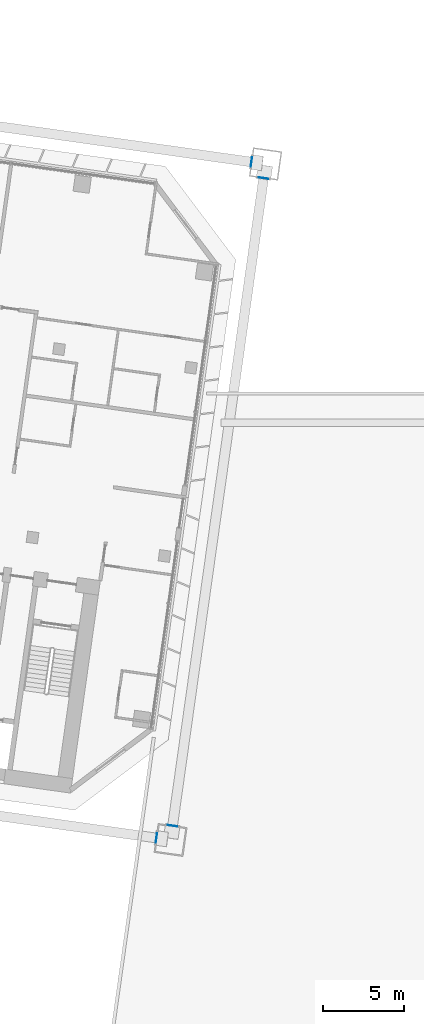
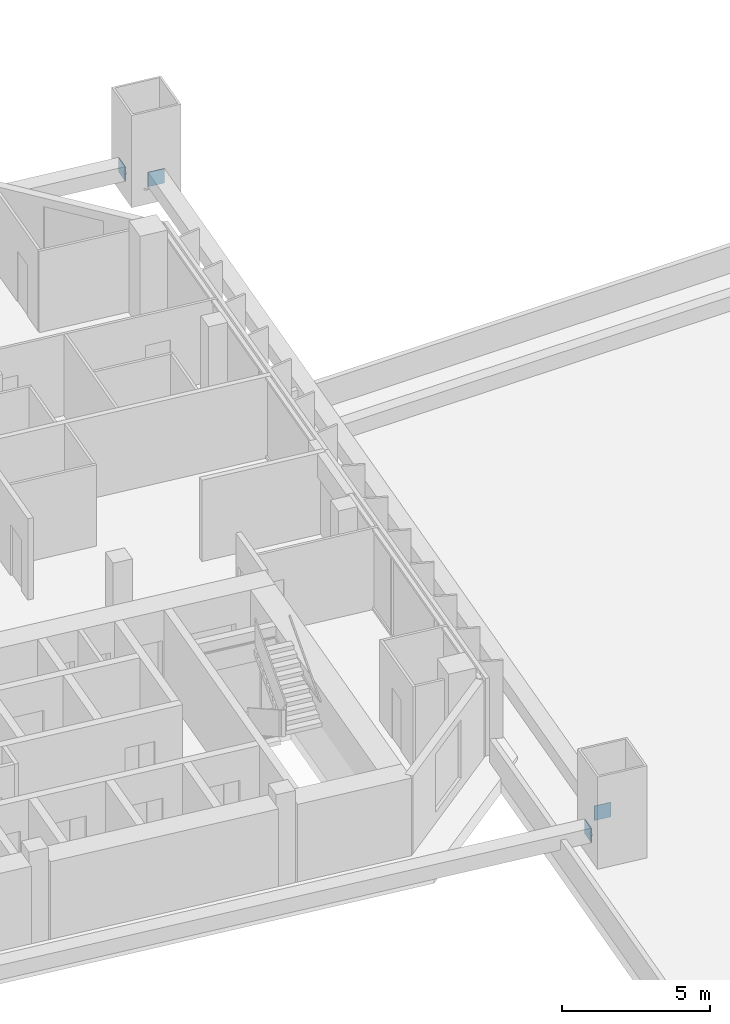
# One storey, part 41 of 46: 4 discrete accessories.
"""IFC4 building model written with IfcOpenShell, lengths in metres."""

from ifc_helpers import new_model, si_unit, direction, frame, origin, origin_2d, place, context, subcontext, project, spatial, rectangle, extrude, material, material_profile, profile_set, type_object, element, save


model = new_model("IFC4")

# Units and contexts
model_context = context("Model", 3, precision=1e-05, world=origin(), true_north=direction((0.0, 1.0)))
body_context = subcontext(model_context, "Body", "Model", "MODEL_VIEW")
ifc_project = project(units=[si_unit("LENGTHUNIT", "METRE"), si_unit("AREAUNIT", "SQUARE_METRE"), si_unit("VOLUMEUNIT", "CUBIC_METRE"), si_unit("PLANEANGLEUNIT", "RADIAN"), si_unit("MASSUNIT", "GRAM", prefix="KILO")], contexts=[model_context])

# Site, building, storey
site_placement = place(None, origin())
site = spatial("IfcSite", under=ifc_project, at=site_placement, CompositionType="ELEMENT")
building_placement = place(site_placement, origin())
building = spatial("IfcBuilding", under=site, at=building_placement, Name="Mirante Cascada Hotel Towers", CompositionType="ELEMENT")
storey_placement = place(building_placement, frame((0.0, 0.0, 39.5)))
storey = spatial("IfcBuildingStorey", under=building, at=storey_placement, Name="L06", CompositionType="ELEMENT", Elevation=39.5)

# Discrete accessories
ifc_material = material(Name="Steel ASTM A572 Gr 50", Category="steel")
ifc_material_profile = material_profile(ifc_material, rectangle(XDim=0.6, YDim=0.6, at=origin_2d()), Name="Connection plate 600x600x25 ASTM A572 Gr 50")
ifc_profile_set = profile_set([ifc_material_profile], Name="Steel ASTM A572 Gr 50")
discrete_accessory_type = type_object("IfcDiscreteAccessoryType", Name="Connection plate 600x600x25 ASTM A572 Gr 50", PredefinedType="BRACKET", material=ifc_profile_set)
for number, where, z_axis, x_axis, name in (
    (1, (-25.9559, 18.638, 1.0), (-0.9901092, 0.1402989, 0.0), (-0.1402989, -0.9901092, 0.0), "Connection plate NCH"),
    (2, (-31.8012, -22.9532, 1.0), (-0.9906585, 0.136366, 0.0), (-0.136366, -0.9906585, 0.0), "Connection plate NCH"),
    (3, (-30.8214, -22.2149, 1.0), (0.1402989, 0.9901092, 0.0), (-0.9901092, 0.1402989, 0.0), "Connection plate NCH"),
    (4, (-25.221, 17.6335, 1.0), (0.136366, 0.9906585, 0.0), (-0.9906585, 0.136366, 0.0), "Connection plate NCH"),
):
    element("IfcDiscreteAccessory", number, at=place(storey_placement, frame(where, z_axis=z_axis, x_axis=x_axis)), inside=storey, type_object=discrete_accessory_type, Name=name, PredefinedType="BRACKET", context=body_context, shape_type="SweptSolid", body=[
        extrude(rectangle(XDim=0.6, YDim=0.6, at=origin_2d()), origin(), (0.0, 0.0, 1.0), 0.0249),
    ])

save(model, "model.ifc")
